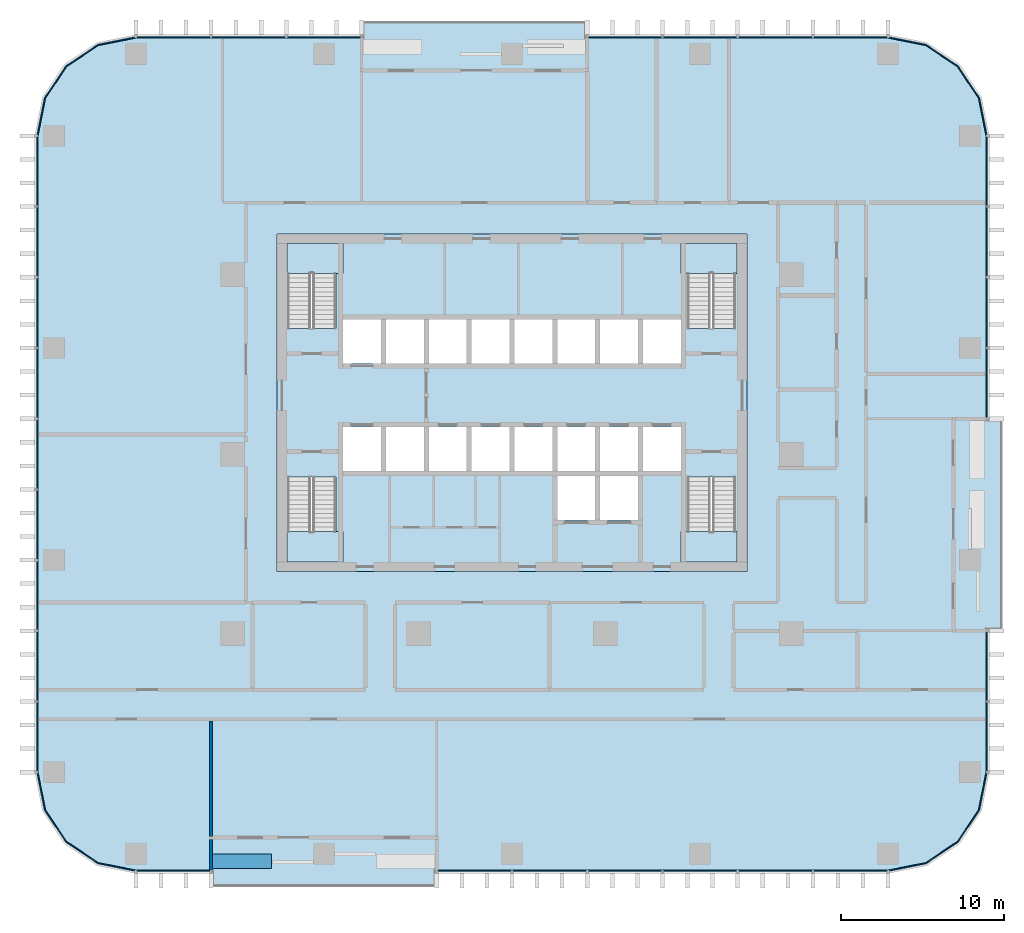
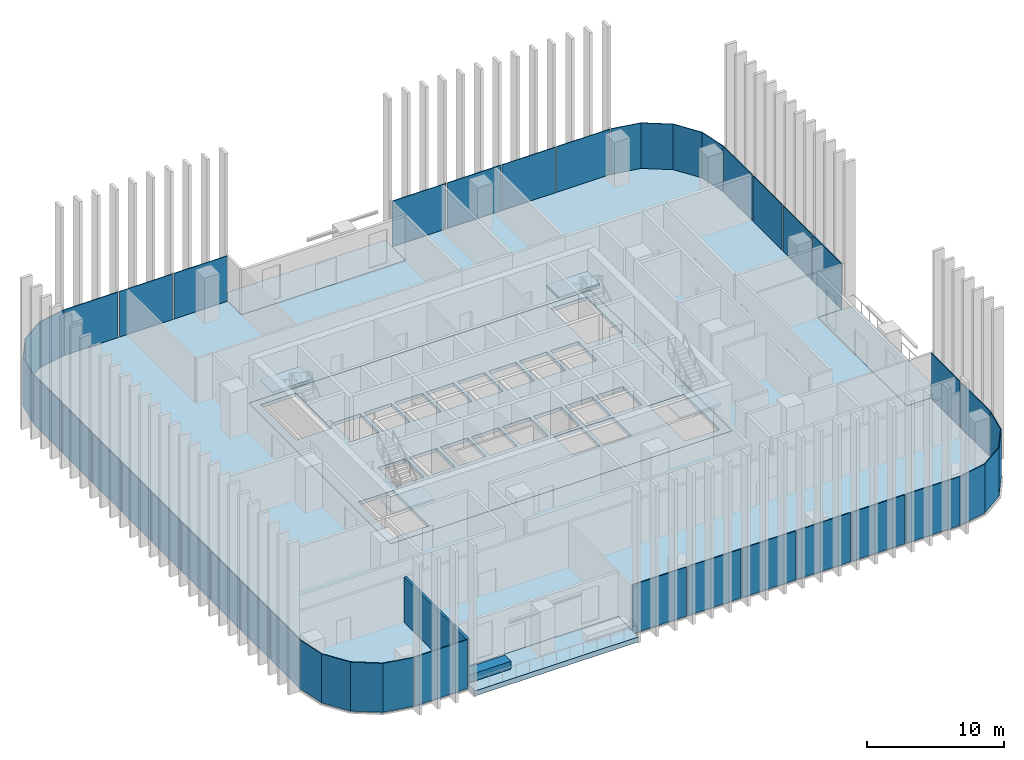
# One storey, part 6 of 17: 33 plates, 9 slabs, 3 walls, 15 elements without a shape of their own.
"""IFC4 building model written with IfcOpenShell, lengths in metres."""

from ifc_helpers import new_model, si_unit, direction, frame, frame_2d, origin, origin_2d, place, context, subcontext, project, spatial, polyline, rectangle, outline, extrude, material, layer, layer_set, type_object, element, aggregate, save


model = new_model("IFC4")

# Units and contexts
model_context = context("Model", 3, precision=1e-05, world=origin(), true_north=direction((0.0, 1.0)))
body_context = subcontext(model_context, "Body", "Model", "MODEL_VIEW")
ifc_project = project(units=[si_unit("LENGTHUNIT", "METRE"), si_unit("AREAUNIT", "SQUARE_METRE"), si_unit("VOLUMEUNIT", "CUBIC_METRE"), si_unit("PLANEANGLEUNIT", "RADIAN"), si_unit("MASSUNIT", "GRAM", prefix="KILO")], contexts=[model_context])

# Site, building, storey
site_placement = place(None, origin())
site = spatial("IfcSite", under=ifc_project, at=site_placement, CompositionType="ELEMENT")
building_placement = place(site_placement, origin())
building = spatial("IfcBuilding", under=site, at=building_placement, Name="Mopane Tessera Tower", CompositionType="ELEMENT")
storey_placement = place(building_placement, frame((0.0, 0.0, 121.60009765625)))
storey = spatial("IfcBuildingStorey", under=building, at=storey_placement, Name="L24", CompositionType="ELEMENT", Elevation=121.60009765625)

# Slab
ifc_material_1 = material(Name="Concrete C40/50", Category="concrete")
ifc_layer_1 = layer(ifc_material_1, 0.300048828125)
ifc_layer_set_1 = layer_set([ifc_layer_1], Name="Concrete C40/50")
slab_type_1 = type_object("IfcSlabType", Name="Core floor slab 300 mm", PredefinedType="FLOOR", material=ifc_layer_set_1)
slab_1_placement = place(storey_placement, frame((0.0, 0.0, -0.300048828125)))
element("IfcSlab", 1, at=slab_1_placement, inside=storey, type_object=slab_type_1, Name="L24 core floor slab", PredefinedType="FLOOR", context=body_context, shape_type="SweptSolid", body=[
    extrude(outline(polyline([(-14.39990234375, -7.199951171875), (14.39990234375, -7.199951171875), (14.39990234375, 13.5), (-14.39990234375, 13.5), (-14.39990234375, -7.199951171875)]), holes=[polyline([(-10.35009765625, -1.050048828125), (-8.02490234375, -1.050048828125), (-8.02490234375, 1.64990234375), (-10.35009765625, 1.64990234375), (-10.35009765625, -1.050048828125)]), polyline([(-7.72509765625, -1.050048828125), (-5.39990234375, -1.050048828125), (-5.39990234375, 1.64990234375), (-7.72509765625, 1.64990234375), (-7.72509765625, -1.050048828125)]), polyline([(-5.10009765625, -1.050048828125), (-2.77490234375, -1.050048828125), (-2.77490234375, 1.64990234375), (-5.10009765625, 1.64990234375), (-5.10009765625, -1.050048828125)]), polyline([(-2.47509765625, -1.050048828125), (-0.14990234375, -1.050048828125), (-0.14990234375, 1.64990234375), (-2.47509765625, 1.64990234375), (-2.47509765625, -1.050048828125)]), polyline([(0.14990234375, -1.050048828125), (2.47509765625, -1.050048828125), (2.47509765625, 1.64990234375), (0.14990234375, 1.64990234375), (0.14990234375, -1.050048828125)]), polyline([(2.77490234375, -1.050048828125), (5.10009765625, -1.050048828125), (5.10009765625, 1.64990234375), (2.77490234375, 1.64990234375), (2.77490234375, -1.050048828125)]), polyline([(5.39990234375, -1.050048828125), (7.72509765625, -1.050048828125), (7.72509765625, 1.64990234375), (5.39990234375, 1.64990234375), (5.39990234375, -1.050048828125)]), polyline([(8.02490234375, -1.050048828125), (10.35009765625, -1.050048828125), (10.35009765625, 1.64990234375), (8.02490234375, 1.64990234375), (8.02490234375, -1.050048828125)]), polyline([(-10.35009765625, 5.550048828125), (-8.02490234375, 5.550048828125), (-8.02490234375, 8.25), (-10.35009765625, 8.25), (-10.35009765625, 5.550048828125)]), polyline([(-7.72509765625, 5.550048828125), (-5.39990234375, 5.550048828125), (-5.39990234375, 8.25), (-7.72509765625, 8.25), (-7.72509765625, 5.550048828125)]), polyline([(-5.10009765625, 5.550048828125), (-2.77490234375, 5.550048828125), (-2.77490234375, 8.25), (-5.10009765625, 8.25), (-5.10009765625, 5.550048828125)]), polyline([(-2.47509765625, 5.550048828125), (-0.14990234375, 5.550048828125), (-0.14990234375, 8.25), (-2.47509765625, 8.25), (-2.47509765625, 5.550048828125)]), polyline([(0.14990234375, 5.550048828125), (2.47509765625, 5.550048828125), (2.47509765625, 8.25), (0.14990234375, 8.25), (0.14990234375, 5.550048828125)]), polyline([(2.77490234375, 5.550048828125), (5.10009765625, 5.550048828125), (5.10009765625, 8.25), (2.77490234375, 8.25), (2.77490234375, 5.550048828125)]), polyline([(5.39990234375, 5.550048828125), (7.72509765625, 5.550048828125), (7.72509765625, 8.25), (5.39990234375, 8.25), (5.39990234375, 5.550048828125)]), polyline([(8.02490234375, 5.550048828125), (10.35009765625, 5.550048828125), (10.35009765625, 8.25), (8.02490234375, 8.25), (8.02490234375, 5.550048828125)]), polyline([(2.77490234375, -4.050048828125), (5.10009765625, -4.050048828125), (5.10009765625, -1.35009765625), (2.77490234375, -1.35009765625), (2.77490234375, -4.050048828125)]), polyline([(5.39990234375, -4.050048828125), (7.72509765625, -4.050048828125), (7.72509765625, -1.35009765625), (5.39990234375, -1.35009765625), (5.39990234375, -4.050048828125)]), polyline([(-13.75, -1.405029296875), (-13.75, -6.60009765625), (-10.800048828125, -6.60009765625), (-10.800048828125, -1.405029296875), (-13.75, -1.405029296875)]), polyline([(-10.800048828125, 7.705078125), (-10.800048828125, 12.89990234375), (-13.75, 12.89990234375), (-13.75, 7.705078125), (-10.800048828125, 7.705078125)]), polyline([(10.75, -1.405029296875), (10.75, -6.60009765625), (13.699951171875, -6.60009765625), (13.699951171875, -1.405029296875), (10.75, -1.405029296875)]), polyline([(13.699951171875, 7.705078125), (13.699951171875, 12.89990234375), (10.75, 12.89990234375), (10.75, 7.705078125), (13.699951171875, 7.705078125)])]), origin(), (0.0, 0.0, 1.0), 0.300048828125),
])

# Stair, slab
ifc_material_2 = material(Name="Concrete C50/60", Category="concrete")
stair_type = type_object("IfcStairType", Name="Escape stair 1400 mm, riser 173 mm", PredefinedType="HALF_TURN_STAIR", material=ifc_material_2)
stair_1_placement = place(storey_placement, origin())
stair_1 = element("IfcStair", 2, at=stair_1_placement, inside=storey, type_object=stair_type, Name="L24 Escape stair south-west", PredefinedType="HALF_TURN_STAIR")
ifc_material_3 = material(Name="Concrete C50/60", Category="concrete")
ifc_layer_2 = layer(ifc_material_3, 0.199951171875)
ifc_layer_set_2 = layer_set([ifc_layer_2], Name="Concrete C50/60")
slab_type_2 = type_object("IfcSlabType", Name="Escape stair landing 200 mm", PredefinedType="LANDING", material=ifc_layer_set_2)
slab_2_placement = place(storey_placement, frame((0.0, 0.0, 2.0498046875)))
slab_2 = element("IfcSlab", 3, at=slab_2_placement, type_object=slab_type_2, Name="ST1 landing 1", PredefinedType="LANDING", context=body_context, shape_type="SweptSolid", body=[
    extrude(outline(polyline([(-13.800048828125, -4.760009765625), (-13.800048828125, -6.60009765625), (-10.35009765625, -6.60009765625), (-10.35009765625, -4.760009765625), (-13.800048828125, -4.760009765625)])), origin(), (0.0, 0.0, 1.0), 0.2001953125),
])
aggregate(stair_1, [slab_2])

stair_2_placement = place(storey_placement, origin())
stair_2 = element("IfcStair", 4, at=stair_2_placement, inside=storey, type_object=stair_type, Name="L24 Escape stair north-west", PredefinedType="HALF_TURN_STAIR")
slab_3_placement = place(storey_placement, frame((0.0, 0.0, 2.0498046875)))
slab_3 = element("IfcSlab", 5, at=slab_3_placement, type_object=slab_type_2, Name="ST2 landing 1", PredefinedType="LANDING", context=body_context, shape_type="SweptSolid", body=[
    extrude(outline(polyline([(-10.35009765625, 11.06005859375), (-10.35009765625, 12.89990234375), (-13.800048828125, 12.89990234375), (-13.800048828125, 11.06005859375), (-10.35009765625, 11.06005859375)])), origin(), (0.0, 0.0, 1.0), 0.2001953125),
])
aggregate(stair_2, [slab_3])

stair_3_placement = place(storey_placement, origin())
stair_3 = element("IfcStair", 6, at=stair_3_placement, inside=storey, type_object=stair_type, Name="L24 Escape stair south-east", PredefinedType="HALF_TURN_STAIR")
slab_4_placement = place(storey_placement, frame((0.0, 0.0, 2.0498046875)))
slab_4 = element("IfcSlab", 7, at=slab_4_placement, type_object=slab_type_2, Name="ST3 landing 1", PredefinedType="LANDING", context=body_context, shape_type="SweptSolid", body=[
    extrude(outline(polyline([(10.35009765625, -4.760009765625), (10.35009765625, -6.60009765625), (13.800048828125, -6.60009765625), (13.800048828125, -4.760009765625), (10.35009765625, -4.760009765625)])), origin(), (0.0, 0.0, 1.0), 0.2001953125),
])
aggregate(stair_3, [slab_4])

stair_4_placement = place(storey_placement, origin())
stair_4 = element("IfcStair", 8, at=stair_4_placement, inside=storey, type_object=stair_type, Name="L24 Escape stair north-east", PredefinedType="HALF_TURN_STAIR")
slab_5_placement = place(storey_placement, frame((0.0, 0.0, 2.0498046875)))
slab_5 = element("IfcSlab", 9, at=slab_5_placement, type_object=slab_type_2, Name="ST4 landing 1", PredefinedType="LANDING", context=body_context, shape_type="SweptSolid", body=[
    extrude(outline(polyline([(13.800048828125, 11.06005859375), (13.800048828125, 12.89990234375), (10.35009765625, 12.89990234375), (10.35009765625, 11.06005859375), (13.800048828125, 11.06005859375)])), origin(), (0.0, 0.0, 1.0), 0.2001953125),
])
aggregate(stair_4, [slab_5])

# Curtain wall, plate
ifc_material_4 = material(Name="Aluminium frame", Category="aluminium")
curtain_wall_type = type_object("IfcCurtainWallType", Name="Lower tower unitised wall", PredefinedType="NOTDEFINED", material=ifc_material_4)
curtain_wall_1_placement = place(storey_placement, origin())
curtain_wall_1 = element("IfcCurtainWall", 10, at=curtain_wall_1_placement, inside=storey, type_object=curtain_wall_type, Name="e:cw:L24:S:0", PredefinedType="NOTDEFINED")
ifc_material_5 = material(Name="Clear laminated glass", Category="glass")
ifc_layer_3 = layer(ifc_material_5, 0.070068359375)
ifc_layer_set_3 = layer_set([ifc_layer_3], Name="Clear laminated glass")
plate_type = type_object("IfcPlateType", Name="Laminated glazed unit 70", PredefinedType="CURTAIN_PANEL", material=ifc_layer_set_3)
plate_1_placement = place(storey_placement, frame((-20.7451171875, -25.534912109375, -0.31005859375), z_axis=(0.0, 0.0, 1.0), x_axis=(1.0, 0.0, 0.0)))
plate_1 = element("IfcPlate", 11, at=plate_1_placement, type_object=plate_type, Name="e:cw:L24:S:0:pn0", PredefinedType="CURTAIN_PANEL", context=body_context, shape_type="SweptSolid", body=[
    extrude(rectangle(XDim=4.5, YDim=0.070068359375, at=origin_2d()), origin(), (0.0, 0.0, 1.0), 4.360107421875),
])
aggregate(curtain_wall_1, [plate_1])

# Curtain wall, plates
curtain_wall_2_placement = place(storey_placement, origin())
curtain_wall_2 = element("IfcCurtainWall", 12, at=curtain_wall_2_placement, inside=storey, type_object=curtain_wall_type, Name="e:cw:L24:S:4", PredefinedType="NOTDEFINED")
plate_2_placement = place(storey_placement, frame((-2.304931640625, -25.534912109375, -0.31005859375), z_axis=(0.0, 0.0, 1.0), x_axis=(1.0, 0.0, 0.0)))
plate_2 = element("IfcPlate", 13, at=plate_2_placement, type_object=plate_type, Name="e:cw:L24:S:4:pn4", PredefinedType="CURTAIN_PANEL", context=body_context, shape_type="SweptSolid", body=[
    extrude(rectangle(XDim=4.5, YDim=0.070068359375, at=origin_2d()), origin(), (0.0, 0.0, 1.0), 4.360107421875),
])
plate_3_placement = place(storey_placement, frame((2.304931640625, -25.534912109375, -0.31005859375), z_axis=(0.0, 0.0, 1.0), x_axis=(1.0, 0.0, 0.0)))
plate_3 = element("IfcPlate", 14, at=plate_3_placement, type_object=plate_type, Name="e:cw:L24:S:4:pn5", PredefinedType="CURTAIN_PANEL", context=body_context, shape_type="SweptSolid", body=[
    extrude(rectangle(XDim=4.5, YDim=0.070068359375, at=origin_2d()), origin(), (0.0, 0.0, 1.0), 4.360107421875),
])
plate_4_placement = place(storey_placement, frame((6.9150390625, -25.534912109375, -0.31005859375), z_axis=(0.0, 0.0, 1.0), x_axis=(1.0, 0.0, 0.0)))
plate_4 = element("IfcPlate", 15, at=plate_4_placement, type_object=plate_type, Name="e:cw:L24:S:4:pn6", PredefinedType="CURTAIN_PANEL", context=body_context, shape_type="SweptSolid", body=[
    extrude(rectangle(XDim=4.5, YDim=0.070068359375, at=origin_2d()), origin(), (0.0, 0.0, 1.0), 4.360107421875),
])
plate_5_placement = place(storey_placement, frame((11.52490234375, -25.534912109375, -0.31005859375), z_axis=(0.0, 0.0, 1.0), x_axis=(1.0, 0.0, 0.0)))
plate_5 = element("IfcPlate", 16, at=plate_5_placement, type_object=plate_type, Name="e:cw:L24:S:4:pn7", PredefinedType="CURTAIN_PANEL", context=body_context, shape_type="SweptSolid", body=[
    extrude(rectangle(XDim=4.5, YDim=0.070068359375, at=origin_2d()), origin(), (0.0, 0.0, 1.0), 4.360107421875),
])
plate_6_placement = place(storey_placement, frame((16.135009765625, -25.534912109375, -0.31005859375), z_axis=(0.0, 0.0, 1.0), x_axis=(1.0, 0.0, 0.0)))
plate_6 = element("IfcPlate", 17, at=plate_6_placement, type_object=plate_type, Name="e:cw:L24:S:4:pn8", PredefinedType="CURTAIN_PANEL", context=body_context, shape_type="SweptSolid", body=[
    extrude(rectangle(XDim=4.5, YDim=0.070068359375, at=origin_2d()), origin(), (0.0, 0.0, 1.0), 4.360107421875),
])
plate_7_placement = place(storey_placement, frame((20.7451171875, -25.534912109375, -0.31005859375), z_axis=(0.0, 0.0, 1.0), x_axis=(1.0, 0.0, 0.0)))
plate_7 = element("IfcPlate", 18, at=plate_7_placement, type_object=plate_type, Name="e:cw:L24:S:4:pn9", PredefinedType="CURTAIN_PANEL", context=body_context, shape_type="SweptSolid", body=[
    extrude(rectangle(XDim=4.5, YDim=0.070068359375, at=origin_2d()), origin(), (0.0, 0.0, 1.0), 4.360107421875),
])
aggregate(curtain_wall_2, [plate_2, plate_3, plate_4, plate_5, plate_6, plate_7])

# Curtain wall, plate
curtain_wall_3_placement = place(storey_placement, origin())
curtain_wall_3 = element("IfcCurtainWall", 19, at=curtain_wall_3_placement, inside=storey, type_object=curtain_wall_type, Name="e:cw:L24:CS", PredefinedType="NOTDEFINED")
plate_8_placement = place(storey_placement, frame((0.0, 0.0, -0.31005859375)))
plate_8 = element("IfcPlate", 20, at=plate_8_placement, type_object=plate_type, Name="e:cw:L24:CS:pn", PredefinedType="CURTAIN_PANEL", context=body_context, shape_type="SweptSolid", body=[
    extrude(outline(polyline([(23.050048828125, -25.5), (25.34619140625, -25.043212890625), (27.292724609375, -23.74267578125), (28.59326171875, -21.796142578125), (29.050048828125, -19.5), (29.1201171875, -19.5), (28.657958984375, -21.822998046875), (27.342041015625, -23.792236328125), (25.372802734375, -25.10791015625), (23.050048828125, -25.570068359375), (23.050048828125, -25.5)])), origin(), (0.0, 0.0, 1.0), 4.35986328125),
])
aggregate(curtain_wall_3, [plate_8])

# Curtain wall, plates
curtain_wall_4_placement = place(storey_placement, origin())
curtain_wall_4 = element("IfcCurtainWall", 21, at=curtain_wall_4_placement, inside=storey, type_object=curtain_wall_type, Name="e:cw:L24:E:0", PredefinedType="NOTDEFINED")
plate_9_placement = place(storey_placement, frame((29.0849609375, -17.333251953125, -0.31005859375), z_axis=(0.0, 0.0, 1.0), x_axis=(0.0, 1.0, 0.0)))
plate_9 = element("IfcPlate", 22, at=plate_9_placement, type_object=plate_type, Name="e:cw:L24:E:0:pn0", PredefinedType="CURTAIN_PANEL", context=body_context, shape_type="SweptSolid", body=[
    extrude(rectangle(XDim=4.223388671875, YDim=0.070068359375, at=origin_2d()), origin(), (0.0, 0.0, 1.0), 4.360107421875),
])
plate_10_placement = place(storey_placement, frame((29.0849609375, -13.0, -0.31005859375), z_axis=(0.0, 0.0, 1.0), x_axis=(0.0, 1.0, 0.0)))
plate_10 = element("IfcPlate", 23, at=plate_10_placement, type_object=plate_type, Name="e:cw:L24:E:0:pn1", PredefinedType="CURTAIN_PANEL", context=body_context, shape_type="SweptSolid", body=[
    extrude(rectangle(XDim=4.223388671875, YDim=0.070068359375, at=origin_2d()), origin(), (0.0, 0.0, 1.0), 4.360107421875),
])
aggregate(curtain_wall_4, [plate_9, plate_10])

curtain_wall_5_placement = place(storey_placement, origin())
curtain_wall_5 = element("IfcCurtainWall", 24, at=curtain_wall_5_placement, inside=storey, type_object=curtain_wall_type, Name="e:cw:L24:E:5", PredefinedType="NOTDEFINED")
plate_11_placement = place(storey_placement, frame((29.0849609375, 4.333251953125, -0.31005859375), z_axis=(0.0, 0.0, 1.0), x_axis=(0.0, 1.0, 0.0)))
plate_11 = element("IfcPlate", 25, at=plate_11_placement, type_object=plate_type, Name="e:cw:L24:E:5:pn5", PredefinedType="CURTAIN_PANEL", context=body_context, shape_type="SweptSolid", body=[
    extrude(rectangle(XDim=4.223388671875, YDim=0.070068359375, at=origin_2d()), origin(), (0.0, 0.0, 1.0), 4.360107421875),
])
plate_12_placement = place(storey_placement, frame((29.0849609375, 8.666748046875, -0.31005859375), z_axis=(0.0, 0.0, 1.0), x_axis=(0.0, 1.0, 0.0)))
plate_12 = element("IfcPlate", 26, at=plate_12_placement, type_object=plate_type, Name="e:cw:L24:E:5:pn6", PredefinedType="CURTAIN_PANEL", context=body_context, shape_type="SweptSolid", body=[
    extrude(rectangle(XDim=4.223388671875, YDim=0.070068359375, at=origin_2d()), origin(), (0.0, 0.0, 1.0), 4.360107421875),
])
plate_13_placement = place(storey_placement, frame((29.0849609375, 13.0, -0.31005859375), z_axis=(0.0, 0.0, 1.0), x_axis=(0.0, 1.0, 0.0)))
plate_13 = element("IfcPlate", 27, at=plate_13_placement, type_object=plate_type, Name="e:cw:L24:E:5:pn7", PredefinedType="CURTAIN_PANEL", context=body_context, shape_type="SweptSolid", body=[
    extrude(rectangle(XDim=4.223388671875, YDim=0.070068359375, at=origin_2d()), origin(), (0.0, 0.0, 1.0), 4.360107421875),
])
plate_14_placement = place(storey_placement, frame((29.0849609375, 17.333251953125, -0.31005859375), z_axis=(0.0, 0.0, 1.0), x_axis=(0.0, 1.0, 0.0)))
plate_14 = element("IfcPlate", 28, at=plate_14_placement, type_object=plate_type, Name="e:cw:L24:E:5:pn8", PredefinedType="CURTAIN_PANEL", context=body_context, shape_type="SweptSolid", body=[
    extrude(rectangle(XDim=4.223388671875, YDim=0.070068359375, at=origin_2d()), origin(), (0.0, 0.0, 1.0), 4.360107421875),
])
aggregate(curtain_wall_5, [plate_11, plate_12, plate_13, plate_14])

# Curtain wall, plate
curtain_wall_6_placement = place(storey_placement, origin())
curtain_wall_6 = element("IfcCurtainWall", 29, at=curtain_wall_6_placement, inside=storey, type_object=curtain_wall_type, Name="e:cw:L24:CE", PredefinedType="NOTDEFINED")
plate_15_placement = place(storey_placement, frame((0.0, 0.0, -0.31005859375)))
plate_15 = element("IfcPlate", 30, at=plate_15_placement, type_object=plate_type, Name="e:cw:L24:CE:pn", PredefinedType="CURTAIN_PANEL", context=body_context, shape_type="SweptSolid", body=[
    extrude(outline(polyline([(29.050048828125, 19.5), (28.59326171875, 21.796142578125), (27.292724609375, 23.74267578125), (25.34619140625, 25.043212890625), (23.050048828125, 25.5), (23.050048828125, 25.570068359375), (25.372802734375, 25.10791015625), (27.342041015625, 23.792236328125), (28.657958984375, 21.822998046875), (29.1201171875, 19.5), (29.050048828125, 19.5)])), origin(), (0.0, 0.0, 1.0), 4.35986328125),
])
aggregate(curtain_wall_6, [plate_15])

# Curtain wall, plates
curtain_wall_7_placement = place(storey_placement, origin())
curtain_wall_7 = element("IfcCurtainWall", 31, at=curtain_wall_7_placement, inside=storey, type_object=curtain_wall_type, Name="e:cw:L24:N:0", PredefinedType="NOTDEFINED")
plate_16_placement = place(storey_placement, frame((20.7451171875, 25.534912109375, -0.31005859375), z_axis=(0.0, 0.0, 1.0), x_axis=(-1.0, 0.0, 0.0)))
plate_16 = element("IfcPlate", 32, at=plate_16_placement, type_object=plate_type, Name="e:cw:L24:N:0:pn0", PredefinedType="CURTAIN_PANEL", context=body_context, shape_type="SweptSolid", body=[
    extrude(rectangle(XDim=4.5, YDim=0.070068359375, at=origin_2d()), origin(), (0.0, 0.0, 1.0), 4.360107421875),
])
plate_17_placement = place(storey_placement, frame((16.135009765625, 25.534912109375, -0.31005859375), z_axis=(0.0, 0.0, 1.0), x_axis=(-1.0, 0.0, 0.0)))
plate_17 = element("IfcPlate", 33, at=plate_17_placement, type_object=plate_type, Name="e:cw:L24:N:0:pn1", PredefinedType="CURTAIN_PANEL", context=body_context, shape_type="SweptSolid", body=[
    extrude(rectangle(XDim=4.5, YDim=0.070068359375, at=origin_2d()), origin(), (0.0, 0.0, 1.0), 4.360107421875),
])
plate_18_placement = place(storey_placement, frame((11.52490234375, 25.534912109375, -0.31005859375), z_axis=(0.0, 0.0, 1.0), x_axis=(-1.0, 0.0, 0.0)))
plate_18 = element("IfcPlate", 34, at=plate_18_placement, type_object=plate_type, Name="e:cw:L24:N:0:pn2", PredefinedType="CURTAIN_PANEL", context=body_context, shape_type="SweptSolid", body=[
    extrude(rectangle(XDim=4.5, YDim=0.070068359375, at=origin_2d()), origin(), (0.0, 0.0, 1.0), 4.360107421875),
])
plate_19_placement = place(storey_placement, frame((6.9150390625, 25.534912109375, -0.31005859375), z_axis=(0.0, 0.0, 1.0), x_axis=(-1.0, 0.0, 0.0)))
plate_19 = element("IfcPlate", 35, at=plate_19_placement, type_object=plate_type, Name="e:cw:L24:N:0:pn3", PredefinedType="CURTAIN_PANEL", context=body_context, shape_type="SweptSolid", body=[
    extrude(rectangle(XDim=4.5, YDim=0.070068359375, at=origin_2d()), origin(), (0.0, 0.0, 1.0), 4.360107421875),
])
aggregate(curtain_wall_7, [plate_16, plate_17, plate_18, plate_19])

curtain_wall_8_placement = place(storey_placement, origin())
curtain_wall_8 = element("IfcCurtainWall", 36, at=curtain_wall_8_placement, inside=storey, type_object=curtain_wall_type, Name="e:cw:L24:N:7", PredefinedType="NOTDEFINED")
plate_20_placement = place(storey_placement, frame((-11.52490234375, 25.534912109375, -0.31005859375), z_axis=(0.0, 0.0, 1.0), x_axis=(-1.0, 0.0, 0.0)))
plate_20 = element("IfcPlate", 37, at=plate_20_placement, type_object=plate_type, Name="e:cw:L24:N:7:pn7", PredefinedType="CURTAIN_PANEL", context=body_context, shape_type="SweptSolid", body=[
    extrude(rectangle(XDim=4.5, YDim=0.070068359375, at=origin_2d()), origin(), (0.0, 0.0, 1.0), 4.360107421875),
])
plate_21_placement = place(storey_placement, frame((-16.135009765625, 25.534912109375, -0.31005859375), z_axis=(0.0, 0.0, 1.0), x_axis=(-1.0, 0.0, 0.0)))
plate_21 = element("IfcPlate", 38, at=plate_21_placement, type_object=plate_type, Name="e:cw:L24:N:7:pn8", PredefinedType="CURTAIN_PANEL", context=body_context, shape_type="SweptSolid", body=[
    extrude(rectangle(XDim=4.5, YDim=0.070068359375, at=origin_2d()), origin(), (0.0, 0.0, 1.0), 4.360107421875),
])
plate_22_placement = place(storey_placement, frame((-20.7451171875, 25.534912109375, -0.31005859375), z_axis=(0.0, 0.0, 1.0), x_axis=(-1.0, 0.0, 0.0)))
plate_22 = element("IfcPlate", 39, at=plate_22_placement, type_object=plate_type, Name="e:cw:L24:N:7:pn9", PredefinedType="CURTAIN_PANEL", context=body_context, shape_type="SweptSolid", body=[
    extrude(rectangle(XDim=4.5, YDim=0.070068359375, at=origin_2d()), origin(), (0.0, 0.0, 1.0), 4.360107421875),
])
aggregate(curtain_wall_8, [plate_20, plate_21, plate_22])

# Curtain wall, plate
curtain_wall_9_placement = place(storey_placement, origin())
curtain_wall_9 = element("IfcCurtainWall", 40, at=curtain_wall_9_placement, inside=storey, type_object=curtain_wall_type, Name="e:cw:L24:CN", PredefinedType="NOTDEFINED")
plate_23_placement = place(storey_placement, frame((0.0, 0.0, -0.31005859375)))
plate_23 = element("IfcPlate", 41, at=plate_23_placement, type_object=plate_type, Name="e:cw:L24:CN:pn", PredefinedType="CURTAIN_PANEL", context=body_context, shape_type="SweptSolid", body=[
    extrude(outline(polyline([(-23.050048828125, 25.5), (-25.34619140625, 25.043212890625), (-27.292724609375, 23.74267578125), (-28.59326171875, 21.796142578125), (-29.050048828125, 19.5), (-29.1201171875, 19.5), (-28.657958984375, 21.822998046875), (-27.342041015625, 23.792236328125), (-25.372802734375, 25.10791015625), (-23.050048828125, 25.570068359375), (-23.050048828125, 25.5)])), origin(), (0.0, 0.0, 1.0), 4.35986328125),
])
aggregate(curtain_wall_9, [plate_23])

# Curtain wall, plates
curtain_wall_10_placement = place(storey_placement, origin())
curtain_wall_10 = element("IfcCurtainWall", 42, at=curtain_wall_10_placement, inside=storey, type_object=curtain_wall_type, Name="e:cw:L24:W:0", PredefinedType="NOTDEFINED")
plate_24_placement = place(storey_placement, frame((-29.0849609375, 17.333251953125, -0.31005859375), z_axis=(0.0, 0.0, 1.0), x_axis=(0.0, -1.0, 0.0)))
plate_24 = element("IfcPlate", 43, at=plate_24_placement, type_object=plate_type, Name="e:cw:L24:W:0:pn0", PredefinedType="CURTAIN_PANEL", context=body_context, shape_type="SweptSolid", body=[
    extrude(rectangle(XDim=4.223388671875, YDim=0.070068359375, at=origin_2d()), origin(), (0.0, 0.0, 1.0), 4.360107421875),
])
plate_25_placement = place(storey_placement, frame((-29.0849609375, 13.0, -0.31005859375), z_axis=(0.0, 0.0, 1.0), x_axis=(0.0, -1.0, 0.0)))
plate_25 = element("IfcPlate", 44, at=plate_25_placement, type_object=plate_type, Name="e:cw:L24:W:0:pn1", PredefinedType="CURTAIN_PANEL", context=body_context, shape_type="SweptSolid", body=[
    extrude(rectangle(XDim=4.223388671875, YDim=0.070068359375, at=origin_2d()), origin(), (0.0, 0.0, 1.0), 4.360107421875),
])
plate_26_placement = place(storey_placement, frame((-29.0849609375, 8.666748046875, -0.31005859375), z_axis=(0.0, 0.0, 1.0), x_axis=(0.0, -1.0, 0.0)))
plate_26 = element("IfcPlate", 45, at=plate_26_placement, type_object=plate_type, Name="e:cw:L24:W:0:pn2", PredefinedType="CURTAIN_PANEL", context=body_context, shape_type="SweptSolid", body=[
    extrude(rectangle(XDim=4.223388671875, YDim=0.070068359375, at=origin_2d()), origin(), (0.0, 0.0, 1.0), 4.360107421875),
])
plate_27_placement = place(storey_placement, frame((-29.0849609375, 4.333251953125, -0.31005859375), z_axis=(0.0, 0.0, 1.0), x_axis=(0.0, -1.0, 0.0)))
plate_27 = element("IfcPlate", 46, at=plate_27_placement, type_object=plate_type, Name="e:cw:L24:W:0:pn3", PredefinedType="CURTAIN_PANEL", context=body_context, shape_type="SweptSolid", body=[
    extrude(rectangle(XDim=4.223388671875, YDim=0.070068359375, at=origin_2d()), origin(), (0.0, 0.0, 1.0), 4.360107421875),
])
plate_28_placement = place(storey_placement, frame((-29.0849609375, 0.0, -0.31005859375), z_axis=(0.0, 0.0, 1.0), x_axis=(0.0, -1.0, 0.0)))
plate_28 = element("IfcPlate", 47, at=plate_28_placement, type_object=plate_type, Name="e:cw:L24:W:0:pn4", PredefinedType="CURTAIN_PANEL", context=body_context, shape_type="SweptSolid", body=[
    extrude(rectangle(XDim=4.223388671875, YDim=0.070068359375, at=origin_2d()), origin(), (0.0, 0.0, 1.0), 4.360107421875),
])
plate_29_placement = place(storey_placement, frame((-29.0849609375, -4.333251953125, -0.31005859375), z_axis=(0.0, 0.0, 1.0), x_axis=(0.0, -1.0, 0.0)))
plate_29 = element("IfcPlate", 48, at=plate_29_placement, type_object=plate_type, Name="e:cw:L24:W:0:pn5", PredefinedType="CURTAIN_PANEL", context=body_context, shape_type="SweptSolid", body=[
    extrude(rectangle(XDim=4.223388671875, YDim=0.070068359375, at=origin_2d()), origin(), (0.0, 0.0, 1.0), 4.360107421875),
])
plate_30_placement = place(storey_placement, frame((-29.0849609375, -8.666748046875, -0.31005859375), z_axis=(0.0, 0.0, 1.0), x_axis=(0.0, -1.0, 0.0)))
plate_30 = element("IfcPlate", 49, at=plate_30_placement, type_object=plate_type, Name="e:cw:L24:W:0:pn6", PredefinedType="CURTAIN_PANEL", context=body_context, shape_type="SweptSolid", body=[
    extrude(rectangle(XDim=4.223388671875, YDim=0.070068359375, at=origin_2d()), origin(), (0.0, 0.0, 1.0), 4.360107421875),
])
plate_31_placement = place(storey_placement, frame((-29.0849609375, -13.0, -0.31005859375), z_axis=(0.0, 0.0, 1.0), x_axis=(0.0, -1.0, 0.0)))
plate_31 = element("IfcPlate", 50, at=plate_31_placement, type_object=plate_type, Name="e:cw:L24:W:0:pn7", PredefinedType="CURTAIN_PANEL", context=body_context, shape_type="SweptSolid", body=[
    extrude(rectangle(XDim=4.223388671875, YDim=0.070068359375, at=origin_2d()), origin(), (0.0, 0.0, 1.0), 4.360107421875),
])
plate_32_placement = place(storey_placement, frame((-29.0849609375, -17.333251953125, -0.31005859375), z_axis=(0.0, 0.0, 1.0), x_axis=(0.0, -1.0, 0.0)))
plate_32 = element("IfcPlate", 51, at=plate_32_placement, type_object=plate_type, Name="e:cw:L24:W:0:pn8", PredefinedType="CURTAIN_PANEL", context=body_context, shape_type="SweptSolid", body=[
    extrude(rectangle(XDim=4.223388671875, YDim=0.070068359375, at=origin_2d()), origin(), (0.0, 0.0, 1.0), 4.360107421875),
])
aggregate(curtain_wall_10, [plate_24, plate_25, plate_26, plate_27, plate_28, plate_29, plate_30, plate_31, plate_32])

# Curtain wall, plate
curtain_wall_11_placement = place(storey_placement, origin())
curtain_wall_11 = element("IfcCurtainWall", 52, at=curtain_wall_11_placement, inside=storey, type_object=curtain_wall_type, Name="e:cw:L24:CW", PredefinedType="NOTDEFINED")
plate_33_placement = place(storey_placement, frame((0.0, 0.0, -0.31005859375)))
plate_33 = element("IfcPlate", 53, at=plate_33_placement, type_object=plate_type, Name="e:cw:L24:CW:pn", PredefinedType="CURTAIN_PANEL", context=body_context, shape_type="SweptSolid", body=[
    extrude(outline(polyline([(-29.050048828125, -19.5), (-28.59326171875, -21.796142578125), (-27.292724609375, -23.74267578125), (-25.34619140625, -25.043212890625), (-23.050048828125, -25.5), (-23.050048828125, -25.570068359375), (-25.372802734375, -25.10791015625), (-27.342041015625, -23.792236328125), (-28.657958984375, -21.822998046875), (-29.1201171875, -19.5), (-29.050048828125, -19.5)])), origin(), (0.0, 0.0, 1.0), 4.35986328125),
])
aggregate(curtain_wall_11, [plate_33])

# Slabs
ifc_material_6 = material(Name="Concrete C40/50", Category="concrete")
ifc_layer_4 = layer(ifc_material_6, 0.449951171875)
ifc_layer_set_4 = layer_set([ifc_layer_4], Name="Concrete C40/50")
slab_type_3 = type_object("IfcSlabType", Name="Planted terrace slab 450 mm", PredefinedType="FLOOR", material=ifc_layer_set_4)
slab_6_placement = place(storey_placement, frame((0.0, 0.0, -0.4501953125)))
element("IfcSlab", 54, at=slab_6_placement, inside=storey, type_object=slab_type_3, Name="Terrace slab N1 L24", PredefinedType="FLOOR", context=body_context, shape_type="SweptSolid", body=[
    extrude(outline(polyline([(-9.219970703125, 26.5), (-9.219970703125, 23.5), (4.610107421875, 23.5), (4.610107421875, 26.5), (-9.219970703125, 26.5)])), origin(), (0.0, 0.0, 1.0), 0.4501953125),
])
slab_7_placement = place(storey_placement, frame((0.0, 0.0, -0.4501953125)))
element("IfcSlab", 55, at=slab_7_placement, inside=storey, type_object=slab_type_3, Name="Terrace slab N2 L24", PredefinedType="FLOOR", context=body_context, shape_type="SweptSolid", body=[
    extrude(outline(polyline([(-4.610107421875, -26.5), (-4.610107421875, -23.5), (-18.43994140625, -23.5), (-18.43994140625, -26.5), (-4.610107421875, -26.5)])), origin(), (0.0, 0.0, 1.0), 0.4501953125),
])
slab_8_placement = place(storey_placement, frame((0.0, 0.0, -0.4501953125)))
element("IfcSlab", 56, at=slab_8_placement, inside=storey, type_object=slab_type_3, Name="Terrace slab N3 L24", PredefinedType="FLOOR", context=body_context, shape_type="SweptSolid", body=[
    extrude(outline(polyline([(30.050048828125, 2.166748046875), (27.050048828125, 2.166748046875), (27.050048828125, -10.833251953125), (30.050048828125, -10.833251953125), (30.050048828125, 2.166748046875)])), origin(), (0.0, 0.0, 1.0), 0.4501953125),
])
ifc_material_7 = material(Name="Concrete C40/50", Category="concrete")
ifc_layer_5 = layer(ifc_material_7, 0.449951171875)
ifc_layer_set_5 = layer_set([ifc_layer_5], Name="Concrete C40/50")
slab_type_4 = type_object("IfcSlabType", Name="Post-tensioned flat plate 450 mm", PredefinedType="FLOOR", material=ifc_layer_set_5)
slab_9_placement = place(storey_placement, frame((0.0, 0.0, -0.4501953125)))
element("IfcSlab", 57, at=slab_9_placement, inside=storey, type_object=slab_type_4, Name="Floor slab L24", PredefinedType="FLOOR", context=body_context, shape_type="SweptSolid", body=[
    extrude(outline(polyline([(-23.050048828125, -25.5), (-18.43994140625, -25.5), (-18.43994140625, -23.5), (-4.610107421875, -23.5), (-4.610107421875, -25.5), (23.050048828125, -25.5), (25.34619140625, -25.043212890625), (27.292724609375, -23.74267578125), (28.59326171875, -21.796142578125), (29.050048828125, -19.5), (29.050048828125, -10.833251953125), (27.050048828125, -10.833251953125), (27.050048828125, 2.166748046875), (29.050048828125, 2.166748046875), (29.050048828125, 19.5), (28.59326171875, 21.796142578125), (27.292724609375, 23.74267578125), (25.34619140625, 25.043212890625), (23.050048828125, 25.5), (4.610107421875, 25.5), (4.610107421875, 23.5), (-9.219970703125, 23.5), (-9.219970703125, 25.5), (-23.050048828125, 25.5), (-25.34619140625, 25.043212890625), (-27.292724609375, 23.74267578125), (-28.59326171875, 21.796142578125), (-29.050048828125, 19.5), (-29.050048828125, -19.5), (-28.59326171875, -21.796142578125), (-27.292724609375, -23.74267578125), (-25.34619140625, -25.043212890625), (-23.050048828125, -25.5)]), holes=[polyline([(14.39990234375, -7.199951171875), (-14.39990234375, -7.199951171875), (-14.39990234375, 13.5), (14.39990234375, 13.5), (14.39990234375, -7.199951171875)])]), origin(), (0.0, 0.0, 1.0), 0.4501953125),
])

# Walls
ifc_material_8 = material(Name="Gypsum board on staggered steel studs, double layer each face, acoustic mineral wool infill", Category="steel")
ifc_layer_6 = layer(ifc_material_8, 0.175048828125)
ifc_layer_set_6 = layer_set([ifc_layer_6], Name="Gypsum board on staggered steel studs, double layer each face, acoustic mineral wool infill")
wall_type_1 = type_object("IfcWallType", Name="Gypsum board acoustic partition 175, rated EI 60", PredefinedType="PARTITIONING", material=ifc_layer_set_6)
wall_1_placement = place(storey_placement, frame((-18.43994140625, -23.449951171875, 0.0), z_axis=(0.0, 0.0, 1.0), x_axis=(0.0, 1.0, 0.0)))
element("IfcWall", 58, at=wall_1_placement, inside=storey, type_object=wall_type_1, Name="Partition L24:032", PredefinedType="PARTITIONING", context=body_context, shape_type="SweptSolid", body=[
    extrude(rectangle(XDim=7.099853515625, YDim=0.175048828125, at=frame_2d((3.5498046875, 0.0))), origin(), (0.0, 0.0, 1.0), 4.0498046875),
])
ifc_material_9 = material(Name="Reinforced concrete C32/40 with waterproofing", Category="concrete")
ifc_layer_7 = layer(ifc_material_9, 0.89990234375)
ifc_layer_set_7 = layer_set([ifc_layer_7], Name="Reinforced concrete C32/40 with waterproofing")
wall_type_2 = type_object("IfcWallType", Name="Planter trough 3600 x 900", PredefinedType="STANDARD", material=ifc_layer_set_7)
wall_2_placement = place(storey_placement, frame((-18.340087890625, -24.949951171875, 0.0), z_axis=(0.0, 0.0, 1.0), x_axis=(1.0, 0.0, 0.0)))
element("IfcWall", 59, at=wall_2_placement, inside=storey, type_object=wall_type_2, Name="e:nw:L24:N2:pl0", PredefinedType="STANDARD", context=body_context, shape_type="SweptSolid", body=[
    extrude(rectangle(XDim=3.60009765625, YDim=0.89990234375, at=frame_2d((1.800048828125, 0.0))), origin(), (0.0, 0.0, 1.0), 0.699951171875),
])
ifc_material_10 = material(Name="Blockwork with glazed tile facing", Category="masonry")
ifc_layer_8 = layer(ifc_material_10, 0.199951171875)
ifc_layer_set_8 = layer_set([ifc_layer_8], Name="Blockwork with glazed tile facing")
wall_type_3 = type_object("IfcWallType", Name="Terrace cheek wall 200", PredefinedType="STANDARD", material=ifc_layer_set_8)
wall_3_placement = place(storey_placement, frame((-18.43994140625, -25.5, 0.0), z_axis=(0.0, 0.0, 1.0), x_axis=(0.0, 1.0, 0.0)))
element("IfcWall", 60, at=wall_3_placement, inside=storey, type_object=wall_type_3, Name="e:nw:L24:N2:cheeka", PredefinedType="STANDARD", context=body_context, shape_type="SweptSolid", body=[
    extrude(rectangle(XDim=1.875, YDim=0.199951171875, at=frame_2d((0.9375, 0.0))), origin(), (0.0, 0.0, 1.0), 4.0498046875),
])

save(model, "model.ifc")
